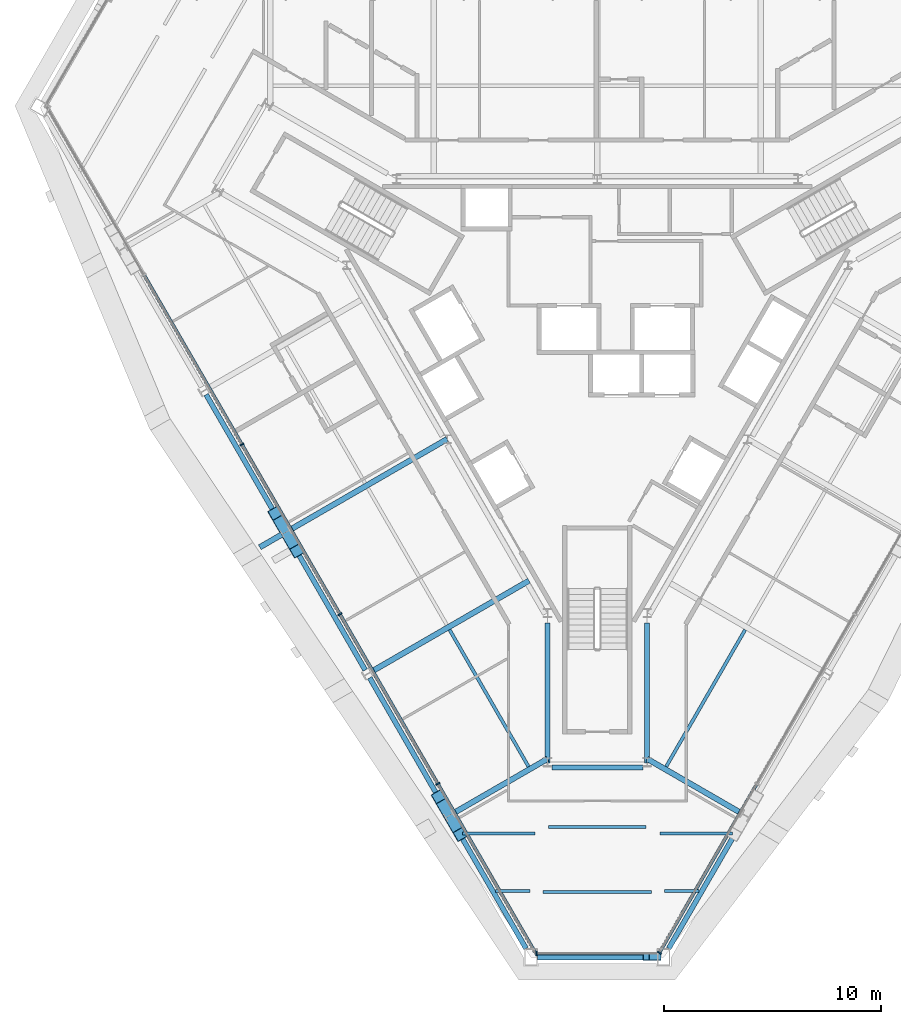
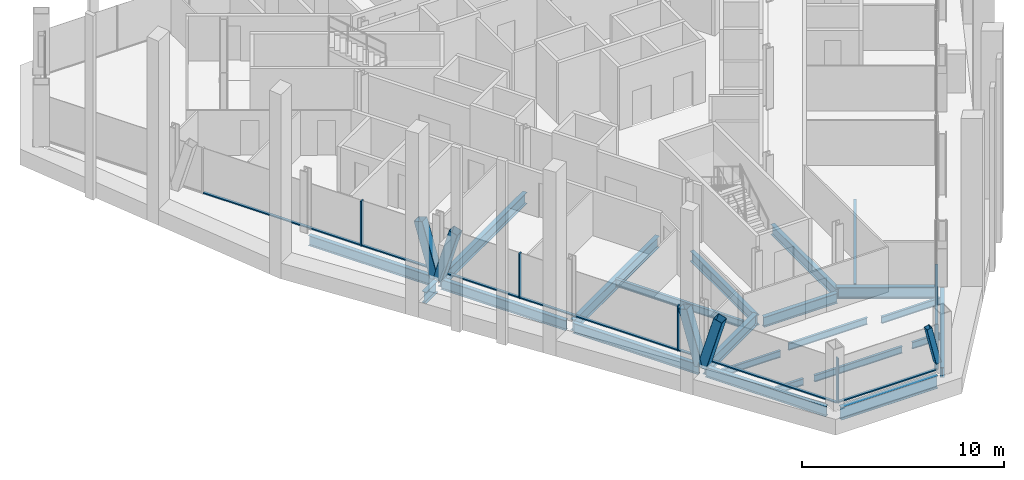
# One storey, part 2 of 14: 22 beams, 16 members, 3 elements without a shape of their own.
"""IFC4 building model written with IfcOpenShell, lengths in metres."""

from ifc_helpers import new_model, si_unit, direction, frame, origin, origin_2d, place, context, subcontext, project, spatial, rectangle, hollow_rectangle, i_section, extrude, material, material_profile, profile_set, type_object, element, aggregate, save


model = new_model("IFC4")

# Units and contexts
model_context = context("Model", 3, precision=1e-05, world=origin(), true_north=direction((0.0, 1.0)))
body_context = subcontext(model_context, "Body", "Model", "MODEL_VIEW")
ifc_project = project(units=[si_unit("LENGTHUNIT", "METRE"), si_unit("AREAUNIT", "SQUARE_METRE"), si_unit("VOLUMEUNIT", "CUBIC_METRE"), si_unit("PLANEANGLEUNIT", "RADIAN"), si_unit("MASSUNIT", "GRAM", prefix="KILO")], contexts=[model_context])

# Site, building, storey
site_placement = place(None, origin())
site = spatial("IfcSite", under=ifc_project, at=site_placement, CompositionType="ELEMENT")
building_placement = place(site_placement, origin())
building = spatial("IfcBuilding", under=site, at=building_placement, Name="Verrane Prism Tower", CompositionType="ELEMENT")
storey_placement = place(building_placement, frame((0.0, 0.0, 148.800048828125)))
storey = spatial("IfcBuildingStorey", under=building, at=storey_placement, Name="L36", CompositionType="ELEMENT", Elevation=148.800048828125)

# Member
ifc_material_1 = material(Name="Steel A500 Grade C", Category="steel")
ifc_material_profile_1 = material_profile(ifc_material_1, hollow_rectangle(XDim=0.3046875, YDim=0.3046875, WallThickness=0.0126953125, InnerFilletRadius=0.00634765625, OuterFilletRadius=0.01904296875, at=origin_2d()), Name="HSS12x12x1/2")
ifc_profile_set_1 = profile_set([ifc_material_profile_1], Name="Steel A500 Grade C")
member_type_1 = type_object("IfcMemberType", Name="Chamfer brace HSS12x12x1/2", PredefinedType="BRACE", material=ifc_profile_set_1)
member_1_placement = place(storey_placement, frame((2.7900390625, -27.909912109375, 0.604248046875), z_axis=(-0.230005551134, 0.0, 0.973189316859), x_axis=(0.0, -1.0, 0.0)))
element("IfcMember", 1, at=member_1_placement, inside=storey, type_object=member_type_1, Name="Chamfer brace S0 L36", PredefinedType="BRACE", context=body_context, shape_type="SweptSolid", body=[
    extrude(hollow_rectangle(XDim=0.3046875, YDim=0.3046875, WallThickness=0.0126953125, InnerFilletRadius=0.00634765625, OuterFilletRadius=0.01904296875, at=origin_2d()), origin(), (0.0, 0.0, 1.0), 2.323486328125),
])

# Beams
ifc_material_2 = material(Name="Steel A992", Category="steel")
ifc_material_profile_2 = material_profile(ifc_material_2, i_section(OverallWidth=0.2666015625, OverallDepth=0.7568359375, WebThickness=0.013916015625, FlangeThickness=0.019287109375, FilletRadius=0.0166015625, at=origin_2d()), Name="W30x108")
ifc_profile_set_2 = profile_set([ifc_material_profile_2], Name="Steel A992")
beam_type_1 = type_object("IfcBeamType", Name="Chamfer spandrel beam W30x108", PredefinedType="SPANDREL", material=ifc_profile_set_2)
beam_1_placement = place(storey_placement, frame((-2.760009765625, -27.909912109375, -0.53857421875), z_axis=(1.0, 0.0, 0.0), x_axis=(0.0, 1.0, 0.0)))
element("IfcBeam", 2, at=beam_1_placement, inside=storey, type_object=beam_type_1, Name="Chamfer spandrel beam L36", PredefinedType="SPANDREL", context=body_context, shape_type="SweptSolid", body=[
    extrude(i_section(OverallWidth=0.2666015625, OverallDepth=0.7568359375, WebThickness=0.013916015625, FlangeThickness=0.019287109375, FilletRadius=0.0166015625, at=origin_2d()), origin(), (0.0, 0.0, 1.0), 5.52001953125),
])
ifc_material_3 = material(Name="Steel A992", Category="steel")
ifc_material_profile_3 = material_profile(ifc_material_3, i_section(OverallWidth=0.23046875, OverallDepth=0.6171875, WebThickness=0.01318359375, FlangeThickness=0.022216796875, FilletRadius=0.012939453125, at=origin_2d()), Name="W24x94")
ifc_profile_set_3 = profile_set([ifc_material_profile_3], Name="Steel A992")
beam_type_2 = type_object("IfcBeamType", Name="Core ring girder W24x94", PredefinedType="BEAM", material=ifc_profile_set_3)
beam_2_placement = place(storey_placement, frame((-2.300048828125, -12.480712890625, -0.55859375), z_axis=(0.0, -1.0, 0.0), x_axis=(1.0, 0.0, 0.0)))
element("IfcBeam", 3, at=beam_2_placement, inside=storey, type_object=beam_type_2, Name="Core ring girder L36", PredefinedType="BEAM", context=body_context, shape_type="SweptSolid", body=[
    extrude(i_section(OverallWidth=0.23046875, OverallDepth=0.6171875, WebThickness=0.01318359375, FlangeThickness=0.022216796875, FilletRadius=0.012939453125, at=origin_2d()), origin(), (0.0, 0.0, 1.0), 6.472412109375),
])
beam_3_placement = place(storey_placement, frame((-2.0966796875, -19.16162109375, -0.55859375), z_axis=(1.0, 0.0, 0.0), x_axis=(0.0, 1.0, 0.0)))
element("IfcBeam", 4, at=beam_3_placement, inside=storey, type_object=beam_type_2, Name="Core ring girder L36", PredefinedType="BEAM", context=body_context, shape_type="SweptSolid", body=[
    extrude(i_section(OverallWidth=0.23046875, OverallDepth=0.6171875, WebThickness=0.01318359375, FlangeThickness=0.022216796875, FilletRadius=0.012939453125, at=origin_2d()), origin(), (0.0, 0.0, 1.0), 4.193359375),
])
beam_4_placement = place(storey_placement, frame((2.300048828125, -18.953125, -0.55859375), z_axis=(0.0, 1.0, 0.0), x_axis=(-1.0, 0.0, 0.0)))
element("IfcBeam", 5, at=beam_4_placement, inside=storey, type_object=beam_type_2, Name="Core ring girder L36", PredefinedType="BEAM", context=body_context, shape_type="SweptSolid", body=[
    extrude(i_section(OverallWidth=0.23046875, OverallDepth=0.6171875, WebThickness=0.01318359375, FlangeThickness=0.022216796875, FilletRadius=0.012939453125, at=origin_2d()), origin(), (0.0, 0.0, 1.0), 6.472412109375),
])

# Members
ifc_material_4 = material(Name="Steel A500 Grade C", Category="steel")
ifc_material_profile_4 = material_profile(ifc_material_4, hollow_rectangle(XDim=0.508056640625, YDim=0.508056640625, WallThickness=0.01904296875, InnerFilletRadius=0.009521484375, OuterFilletRadius=0.028564453125, at=origin_2d()), Name="HSS20x20x3/4")
ifc_profile_set_4 = profile_set([ifc_material_profile_4], Name="Steel A500 Grade C")
member_type_2 = type_object("IfcMemberType", Name="Facade brace HSS20x20x3/4", PredefinedType="BRACE", material=ifc_profile_set_4)
for number, where, z_axis, x_axis, name in (
    (6, (-14.42333984375, -8.22509765625, -0.171630859375), (-0.140141716006, 0.242049439429, 0.960089770963), (-0.86541414625, -0.501057237718, 0.0), "Facade brace SW2 L36"),
    (7, (-14.3369140625, -8.375, -0.171630859375), (0.139764473405, -0.242412144133, 0.960053250789), (0.866322743742, 0.499484638077, 0.0), "Facade brace SW3 L36"),
    (8, (-6.88330078125, -21.304931640625, -0.171630859375), (-0.139691542891, 0.242414663621, 0.960063229015), (-0.866437762351, -0.49928509288, 0.0), "Facade brace SW4 L36"),
):
    element("IfcMember", number, at=place(storey_placement, frame(where, z_axis=z_axis, x_axis=x_axis)), inside=storey, type_object=member_type_2, Name=name, PredefinedType="BRACE", context=body_context, shape_type="SweptSolid", body=[
        extrude(hollow_rectangle(XDim=0.508056640625, YDim=0.508056640625, WallThickness=0.01904296875, InnerFilletRadius=0.009521484375, OuterFilletRadius=0.028564453125, at=origin_2d()), origin(), (0.0, 0.0, 1.0), 3.2822265625),
    ])
member_2_placement = place(storey_placement, frame((-6.796630859375, -21.454833984375, -0.171630859375), z_axis=(0.14006879057, -0.242051962036, 0.960099776889), x_axis=(0.865529462177, 0.500858013915, 0.0)))
element("IfcMember", 9, at=member_2_placement, inside=storey, type_object=member_type_2, Name="Facade brace SW5 L36", PredefinedType="BRACE", context=body_context, shape_type="SweptSolid", body=[
    extrude(hollow_rectangle(XDim=0.508056640625, YDim=0.508056640625, WallThickness=0.01904296875, InnerFilletRadius=0.009521484375, OuterFilletRadius=0.028564453125, at=origin_2d()), origin(), (0.0, 0.0, 1.0), 3.281982421875),
])

# Beams
ifc_material_5 = material(Name="Steel A992", Category="steel")
ifc_material_profile_5 = material_profile(ifc_material_5, i_section(OverallWidth=0.140380859375, OverallDepth=0.40380859375, WebThickness=0.007080078125, FlangeThickness=0.01123046875, FilletRadius=0.01025390625, at=origin_2d()), Name="W16x31")
ifc_profile_set_5 = profile_set([ifc_material_profile_5], Name="Steel A992")
beam_type_3 = type_object("IfcBeamType", Name="Floor beam W16x31", PredefinedType="BEAM", material=ifc_profile_set_5)
beam_5_placement = place(storey_placement, frame((-4.692626953125, -24.860107421875, -0.362060546875), z_axis=(1.0, 0.0, 0.0), x_axis=(0.0, 1.0, 0.0)))
element("IfcBeam", 10, at=beam_5_placement, inside=storey, type_object=beam_type_3, Name="Floor beam L36", PredefinedType="BEAM", context=body_context, shape_type="SweptSolid", body=[
    extrude(i_section(OverallWidth=0.140380859375, OverallDepth=0.40380859375, WebThickness=0.007080078125, FlangeThickness=0.01123046875, FilletRadius=0.01025390625, at=origin_2d()), origin(), (0.0, 0.0, 1.0), 1.5888671875),
])
beam_6_placement = place(storey_placement, frame((-6.226806640625, -22.2099609375, -0.362060546875), z_axis=(1.0, 0.0, 0.0), x_axis=(0.0, 1.0, 0.0)))
element("IfcBeam", 11, at=beam_6_placement, inside=storey, type_object=beam_type_3, Name="Floor beam L36", PredefinedType="BEAM", context=body_context, shape_type="SweptSolid", body=[
    extrude(i_section(OverallWidth=0.140380859375, OverallDepth=0.40380859375, WebThickness=0.007080078125, FlangeThickness=0.01123046875, FilletRadius=0.01025390625, at=origin_2d()), origin(), (0.0, 0.0, 1.0), 3.346435546875),
])
beam_7_placement = place(storey_placement, frame((3.103759765625, -24.860107421875, -0.362060546875), z_axis=(1.0, 0.0, 0.0), x_axis=(0.0, 1.0, 0.0)))
element("IfcBeam", 12, at=beam_7_placement, inside=storey, type_object=beam_type_3, Name="Floor beam L36", PredefinedType="BEAM", context=body_context, shape_type="SweptSolid", body=[
    extrude(i_section(OverallWidth=0.140380859375, OverallDepth=0.40380859375, WebThickness=0.007080078125, FlangeThickness=0.01123046875, FilletRadius=0.01025390625, at=origin_2d()), origin(), (0.0, 0.0, 1.0), 1.5888671875),
])
beam_8_placement = place(storey_placement, frame((2.88037109375, -22.2099609375, -0.362060546875), z_axis=(1.0, 0.0, 0.0), x_axis=(0.0, 1.0, 0.0)))
element("IfcBeam", 13, at=beam_8_placement, inside=storey, type_object=beam_type_3, Name="Floor beam L36", PredefinedType="BEAM", context=body_context, shape_type="SweptSolid", body=[
    extrude(i_section(OverallWidth=0.140380859375, OverallDepth=0.40380859375, WebThickness=0.007080078125, FlangeThickness=0.01123046875, FilletRadius=0.01025390625, at=origin_2d()), origin(), (0.0, 0.0, 1.0), 3.346435546875),
])
beam_9_placement = place(storey_placement, frame((-2.505615234375, -24.90673828125, -0.362060546875), z_axis=(1.0, 0.0, 0.0), x_axis=(0.0, 1.0, 0.0)))
element("IfcBeam", 14, at=beam_9_placement, inside=storey, type_object=beam_type_3, Name="Floor beam L36", PredefinedType="BEAM", context=body_context, shape_type="SweptSolid", body=[
    extrude(i_section(OverallWidth=0.140380859375, OverallDepth=0.40380859375, WebThickness=0.007080078125, FlangeThickness=0.01123046875, FilletRadius=0.01025390625, at=origin_2d()), origin(), (0.0, 0.0, 1.0), 5.01123046875),
])
beam_10_placement = place(storey_placement, frame((-2.252197265625, -21.9033203125, -0.362060546875), z_axis=(1.0, 0.0, 0.0), x_axis=(0.0, 1.0, 0.0)))
element("IfcBeam", 15, at=beam_10_placement, inside=storey, type_object=beam_type_3, Name="Floor beam L36", PredefinedType="BEAM", context=body_context, shape_type="SweptSolid", body=[
    extrude(i_section(OverallWidth=0.140380859375, OverallDepth=0.40380859375, WebThickness=0.007080078125, FlangeThickness=0.01123046875, FilletRadius=0.01025390625, at=origin_2d()), origin(), (0.0, 0.0, 1.0), 4.50439453125),
])
ifc_material_6 = material(Name="Steel A992", Category="steel")
ifc_material_profile_6 = material_profile(ifc_material_6, i_section(OverallWidth=0.15234375, OverallDepth=0.449462890625, WebThickness=0.007568359375, FlangeThickness=0.0107421875, FilletRadius=0.01025390625, at=origin_2d()), Name="W18x35")
ifc_profile_set_6 = profile_set([ifc_material_profile_6], Name="Steel A992")
beam_type_4 = type_object("IfcBeamType", Name="Floor beam W18x35", PredefinedType="BEAM", material=ifc_profile_set_6)
for number, where, z_axis, x_axis, name in (
    (16, (-3.174072265625, -19.117919921875, -0.384765625), (-0.499983176524, 0.866035116605, 0.0), (-0.866035116605, -0.499983176524, 0.0), "Floor beam L36"),
    (17, (3.174072265625, -19.117919921875, -0.384765625), (0.499983176524, 0.866035116605, 0.0), (-0.866035116605, 0.499983176524, 0.0), "Floor beam L36"),
):
    element("IfcBeam", number, at=place(storey_placement, frame(where, z_axis=z_axis, x_axis=x_axis)), inside=storey, type_object=beam_type_4, Name=name, PredefinedType="BEAM", context=body_context, shape_type="SweptSolid", body=[
        extrude(i_section(OverallWidth=0.15234375, OverallDepth=0.449462890625, WebThickness=0.007568359375, FlangeThickness=0.0107421875, FilletRadius=0.01025390625, at=origin_2d()), origin(), (0.0, 0.0, 1.0), 7.295166015625),
    ])

# Curtain wall, members
ifc_material_7 = material(Name="Aluminium framed insulated glazing", Category="aluminium")
curtain_wall_type = type_object("IfcCurtainWallType", Name="Curtain wall CW-A 8400 module", PredefinedType="NOTDEFINED", material=ifc_material_7)
curtain_wall_1_placement = place(storey_placement, origin())
curtain_wall_1 = element("IfcCurtainWall", 18, at=curtain_wall_1_placement, inside=storey, type_object=curtain_wall_type, Name="Glazed curtain wall south-west face L36", PredefinedType="NOTDEFINED")
ifc_material_8 = material(Name="Aluminium alloy 6063-T6", Category="aluminium")
ifc_material_profile_7 = material_profile(ifc_material_8, rectangle(XDim=0.199951171875, YDim=0.070068359375, at=origin_2d()), Name="Mullion 70x200 aluminium")
ifc_profile_set_7 = profile_set([ifc_material_profile_7], Name="Aluminium alloy 6063-T6")
member_type_3 = type_object("IfcMemberType", Name="Mullion 70x200 aluminium", PredefinedType="MULLION", material=ifc_profile_set_7)
member_3_placement = place(storey_placement, frame((-16.403076171875, -4.251220703125, 0.0), z_axis=(0.0, 0.0, 1.0), x_axis=(0.866025097191, 0.500000531035, 0.0)))
member_3 = element("IfcMember", 19, at=member_3_placement, type_object=member_type_3, Name="CW36.4 mullion 3", PredefinedType="MULLION", context=body_context, shape_type="SweptSolid", body=[
    extrude(rectangle(XDim=0.199951171875, YDim=0.070068359375, at=origin_2d()), origin(), (0.0, 0.0, 1.0), 2.712890625),
])
member_4_placement = place(storey_placement, frame((-11.883056640625, -12.079833984375, 0.0), z_axis=(0.0, 0.0, 1.0), x_axis=(0.866025097191, 0.500000531035, 0.0)))
member_4 = element("IfcMember", 20, at=member_4_placement, type_object=member_type_3, Name="CW36.4 mullion 4", PredefinedType="MULLION", context=body_context, shape_type="SweptSolid", body=[
    extrude(rectangle(XDim=0.199951171875, YDim=0.070068359375, at=origin_2d()), origin(), (0.0, 0.0, 1.0), 2.712890625),
])
member_5_placement = place(storey_placement, frame((-7.36328125, -19.90869140625, 0.0), z_axis=(0.0, 0.0, 1.0), x_axis=(0.866025097191, 0.500000531035, 0.0)))
member_5 = element("IfcMember", 21, at=member_5_placement, type_object=member_type_3, Name="CW36.4 mullion 5", PredefinedType="MULLION", context=body_context, shape_type="SweptSolid", body=[
    extrude(rectangle(XDim=0.199951171875, YDim=0.070068359375, at=origin_2d()), origin(), (0.0, 0.0, 1.0), 2.712890625),
])

# Curtain wall, member
curtain_wall_2_placement = place(storey_placement, origin())
curtain_wall_2 = element("IfcCurtainWall", 22, at=curtain_wall_2_placement, inside=storey, type_object=curtain_wall_type, Name="Glazed curtain wall south corner L36", PredefinedType="NOTDEFINED")
member_6_placement = place(storey_placement, frame((-2.808349609375, -27.7373046875, 0.0), z_axis=(0.0, 0.0, 1.0), x_axis=(0.0, 1.0, 0.0)))
member_6 = element("IfcMember", 23, at=member_6_placement, type_object=member_type_3, Name="CW36.5 mullion 1", PredefinedType="MULLION", context=body_context, shape_type="SweptSolid", body=[
    extrude(rectangle(XDim=0.199951171875, YDim=0.070068359375, at=origin_2d()), origin(), (0.0, 0.0, 1.0), 2.712890625),
])

curtain_wall_3_placement = place(storey_placement, origin())
curtain_wall_3 = element("IfcCurtainWall", 24, at=curtain_wall_3_placement, inside=storey, type_object=curtain_wall_type, Name="Glazed curtain wall south-east face L36", PredefinedType="NOTDEFINED")
member_7_placement = place(storey_placement, frame((2.86083984375, -27.70703125, 0.0), z_axis=(0.0, 0.0, 1.0), x_axis=(-0.866025097191, 0.500000531035, 0.0)))
member_7 = element("IfcMember", 25, at=member_7_placement, type_object=member_type_3, Name="CW36.6 mullion 1", PredefinedType="MULLION", context=body_context, shape_type="SweptSolid", body=[
    extrude(rectangle(XDim=0.199951171875, YDim=0.070068359375, at=origin_2d()), origin(), (0.0, 0.0, 1.0), 2.712890625),
])

# Beams
ifc_material_9 = material(Name="Steel A992", Category="steel")
ifc_material_profile_8 = material_profile(ifc_material_9, i_section(OverallWidth=0.25390625, OverallDepth=0.683349609375, WebThickness=0.012451171875, FlangeThickness=0.01904296875, FilletRadius=0.01513671875, at=origin_2d()), Name="W27x94")
ifc_profile_set_8 = profile_set([ifc_material_profile_8], Name="Steel A992")
beam_type_5 = type_object("IfcBeamType", Name="Radial girder W27x94", PredefinedType="BEAM", material=ifc_profile_set_8)
beam_11_placement = place(storey_placement, frame((-14.19189453125, -8.19140625, -0.561767578125), z_axis=(0.866027030928, 0.499997181693, 0.0), x_axis=(-0.499997181693, 0.866027030928, 0.0)))
element("IfcBeam", 26, at=beam_11_placement, inside=storey, type_object=beam_type_5, Name="Radial girder L36", PredefinedType="BEAM", context=body_context, shape_type="SweptSolid", body=[
    extrude(i_section(OverallWidth=0.25390625, OverallDepth=0.683349609375, WebThickness=0.012451171875, FlangeThickness=0.01904296875, FilletRadius=0.01513671875, at=origin_2d()), origin(), (0.0, 0.0, 1.0), 8.384765625),
])
beam_12_placement = place(storey_placement, frame((-10.421875, -14.7314453125, -0.561767578125), z_axis=(0.866017422895, 0.500013823051, 0.0), x_axis=(-0.500013823051, 0.866017422895, 0.0)))
element("IfcBeam", 27, at=beam_12_placement, inside=storey, type_object=beam_type_5, Name="Radial girder L36", PredefinedType="BEAM", context=body_context, shape_type="SweptSolid", body=[
    extrude(i_section(OverallWidth=0.25390625, OverallDepth=0.683349609375, WebThickness=0.012451171875, FlangeThickness=0.01904296875, FilletRadius=0.01513671875, at=origin_2d()), origin(), (0.0, 0.0, 1.0), 8.389404296875),
])
for number, where, z_axis, x_axis, name in (
    (28, (-6.65185546875, -21.271484375, -0.561767578125), (0.866010015463, 0.500026652407, 0.0), (-0.500026652407, 0.866010015463, 0.0), "Radial girder L36"),
    (29, (6.65185546875, -21.271484375, -0.561767578125), (-0.866010015463, 0.500026652407, 0.0), (-0.500026652407, -0.866010015463, 0.0), "Radial girder L36"),
):
    element("IfcBeam", number, at=place(storey_placement, frame(where, z_axis=z_axis, x_axis=x_axis)), inside=storey, type_object=beam_type_5, Name=name, PredefinedType="BEAM", context=body_context, shape_type="SweptSolid", body=[
        extrude(i_section(OverallWidth=0.25390625, OverallDepth=0.683349609375, WebThickness=0.012451171875, FlangeThickness=0.01904296875, FilletRadius=0.01513671875, at=origin_2d()), origin(), (0.0, 0.0, 1.0), 5.025146484375),
    ])
beam_13_placement = place(storey_placement, frame((-14.564697265625, -8.406494140625, -0.561767578125), z_axis=(-0.86592915448, -0.500166671641, 0.0), x_axis=(0.500166671641, -0.86592915448, 0.0)))
element("IfcBeam", 30, at=beam_13_placement, inside=storey, type_object=beam_type_5, Name="Cantilever girder L36", PredefinedType="BEAM", context=body_context, shape_type="SweptSolid", body=[
    extrude(i_section(OverallWidth=0.25390625, OverallDepth=0.683349609375, WebThickness=0.012451171875, FlangeThickness=0.01904296875, FilletRadius=0.01513671875, at=origin_2d()), origin(), (0.0, 0.0, 1.0), 1.17333984375),
])
ifc_material_10 = material(Name="Steel A992", Category="steel")
ifc_material_profile_9 = material_profile(ifc_material_10, i_section(OverallWidth=0.23046875, OverallDepth=0.6171875, WebThickness=0.01318359375, FlangeThickness=0.022216796875, FilletRadius=0.012939453125, at=origin_2d()), Name="W24x94")
ifc_profile_set_9 = profile_set([ifc_material_profile_9], Name="Steel A992")
beam_type_6 = type_object("IfcBeamType", Name="Spandrel beam W24x94", PredefinedType="SPANDREL", material=ifc_profile_set_9)
beam_14_placement = place(storey_placement, frame((-18.056884765625, -1.947998046875, -0.46875), z_axis=(0.500974211218, -0.865462211592, 0.0), x_axis=(0.865462211592, 0.500974211218, 0.0)))
element("IfcBeam", 31, at=beam_14_placement, inside=storey, type_object=beam_type_6, Name="Spandrel beam L36", PredefinedType="SPANDREL", context=body_context, shape_type="SweptSolid", body=[
    extrude(i_section(OverallWidth=0.23046875, OverallDepth=0.6171875, WebThickness=0.01318359375, FlangeThickness=0.022216796875, FilletRadius=0.012939453125, at=origin_2d()), origin(), (0.0, 0.0, 1.0), 7.133544921875),
])
for number, where, z_axis, x_axis, name in (
    (32, (-14.27734375, -8.478271484375, -0.46875), (0.499432230493, -0.866352957601, 0.0), (0.866352957601, 0.499432230493, 0.0), "Spandrel beam L36"),
    (33, (-10.50732421875, -15.018310546875, -0.46875), (0.499432230493, -0.866352957601, 0.0), (0.866352957601, 0.499432230493, 0.0), "Spandrel beam L36"),
):
    element("IfcBeam", number, at=place(storey_placement, frame(where, z_axis=z_axis, x_axis=x_axis)), inside=storey, type_object=beam_type_6, Name=name, PredefinedType="SPANDREL", context=body_context, shape_type="SweptSolid", body=[
        extrude(i_section(OverallWidth=0.23046875, OverallDepth=0.6171875, WebThickness=0.01318359375, FlangeThickness=0.022216796875, FilletRadius=0.012939453125, at=origin_2d()), origin(), (0.0, 0.0, 1.0), 7.137451171875),
    ])
for number, where, z_axis, x_axis, name in (
    (34, (-6.73681640625, -21.55810546875, -0.46875), (0.500978894628, -0.865459500576, 0.0), (0.865459500576, 0.500978894628, 0.0), "Spandrel beam L36"),
    (35, (3.29150390625, -27.510009765625, -0.46875), (0.500978894628, 0.865459500576, 0.0), (-0.865459500576, 0.500978894628, 0.0), "Spandrel beam L36"),
):
    element("IfcBeam", number, at=place(storey_placement, frame(where, z_axis=z_axis, x_axis=x_axis)), inside=storey, type_object=beam_type_6, Name=name, PredefinedType="SPANDREL", context=body_context, shape_type="SweptSolid", body=[
        extrude(i_section(OverallWidth=0.23046875, OverallDepth=0.6171875, WebThickness=0.01318359375, FlangeThickness=0.022216796875, FilletRadius=0.012939453125, at=origin_2d()), origin(), (0.0, 0.0, 1.0), 6.877197265625),
    ])

# Member
ifc_material_11 = material(Name="Aluminium alloy 6063-T6", Category="aluminium")
ifc_material_profile_10 = material_profile(ifc_material_11, rectangle(XDim=0.14990234375, YDim=0.070068359375, at=origin_2d()), Name="Transom 70x150 aluminium")
ifc_profile_set_10 = profile_set([ifc_material_profile_10], Name="Aluminium alloy 6063-T6")
member_type_4 = type_object("IfcMemberType", Name="Transom 70x150 aluminium", PredefinedType="USERDEFINED", material=ifc_profile_set_10)
member_8_placement = place(storey_placement, frame((-20.905517578125, 3.54736328125, 0.034912109375), z_axis=(0.49998554304, -0.866033750353, 0.0), x_axis=(0.866033750353, 0.49998554304, 0.0)))
member_8 = element("IfcMember", 36, at=member_8_placement, type_object=member_type_4, Name="CW36.4 transom 2", ObjectType="TRANSOM", PredefinedType="USERDEFINED", context=body_context, shape_type="SweptSolid", body=[
    extrude(rectangle(XDim=0.14990234375, YDim=0.070068359375, at=origin_2d()), origin(), (0.0, 0.0, 1.0), 8.969970703125),
])

member_9_placement = place(storey_placement, frame((-16.385498046875, -4.281494140625, 0.034912109375), z_axis=(0.499997328569, -0.86602694613, 0.0), x_axis=(0.86602694613, 0.499997328569, 0.0)))
member_9 = element("IfcMember", 37, at=member_9_placement, type_object=member_type_4, Name="CW36.4 transom 3", ObjectType="TRANSOM", PredefinedType="USERDEFINED", context=body_context, shape_type="SweptSolid", body=[
    extrude(rectangle(XDim=0.14990234375, YDim=0.070068359375, at=origin_2d()), origin(), (0.0, 0.0, 1.0), 8.9697265625),
])

member_10_placement = place(storey_placement, frame((-11.86572265625, -12.110107421875, 0.034912109375), z_axis=(0.500017741834, -0.866015160289, 0.0), x_axis=(0.866015160289, 0.500017741834, 0.0)))
member_10 = element("IfcMember", 38, at=member_10_placement, type_object=member_type_4, Name="CW36.4 transom 4", ObjectType="TRANSOM", PredefinedType="USERDEFINED", context=body_context, shape_type="SweptSolid", body=[
    extrude(rectangle(XDim=0.14990234375, YDim=0.070068359375, at=origin_2d()), origin(), (0.0, 0.0, 1.0), 8.969970703125),
])

member_11_placement = place(storey_placement, frame((-7.345703125, -19.93896484375, 0.034912109375), z_axis=(0.500005646842, -0.866022143554, 0.0), x_axis=(0.866022143554, 0.500005646842, 0.0)))
member_11 = element("IfcMember", 39, at=member_11_placement, type_object=member_type_4, Name="CW36.4 transom 5", ObjectType="TRANSOM", PredefinedType="USERDEFINED", context=body_context, shape_type="SweptSolid", body=[
    extrude(rectangle(XDim=0.14990234375, YDim=0.070068359375, at=origin_2d()), origin(), (0.0, 0.0, 1.0), 9.0048828125),
])

aggregate(curtain_wall_1, [member_3, member_4, member_5, member_8, member_9, member_10, member_11])

member_12_placement = place(storey_placement, frame((-2.773193359375, -27.7373046875, 0.034912109375), z_axis=(1.0, 0.0, 0.0), x_axis=(0.0, 1.0, 0.0)))
member_12 = element("IfcMember", 40, at=member_12_placement, type_object=member_type_4, Name="CW36.5 transom 1", ObjectType="TRANSOM", PredefinedType="USERDEFINED", context=body_context, shape_type="SweptSolid", body=[
    extrude(rectangle(XDim=0.14990234375, YDim=0.070068359375, at=origin_2d()), origin(), (0.0, 0.0, 1.0), 5.616455078125),
])

aggregate(curtain_wall_2, [member_6, member_12])

member_13_placement = place(storey_placement, frame((2.87841796875, -27.6767578125, 0.034912109375), z_axis=(0.499988945067, 0.866031786259, 0.0), x_axis=(-0.866031786259, 0.499988945067, 0.0)))
member_13 = element("IfcMember", 41, at=member_13_placement, type_object=member_type_4, Name="CW36.6 transom 1", ObjectType="TRANSOM", PredefinedType="USERDEFINED", context=body_context, shape_type="SweptSolid", body=[
    extrude(rectangle(XDim=0.14990234375, YDim=0.070068359375, at=origin_2d()), origin(), (0.0, 0.0, 1.0), 8.934814453125),
])

aggregate(curtain_wall_3, [member_7, member_13])

save(model, "model.ifc")
